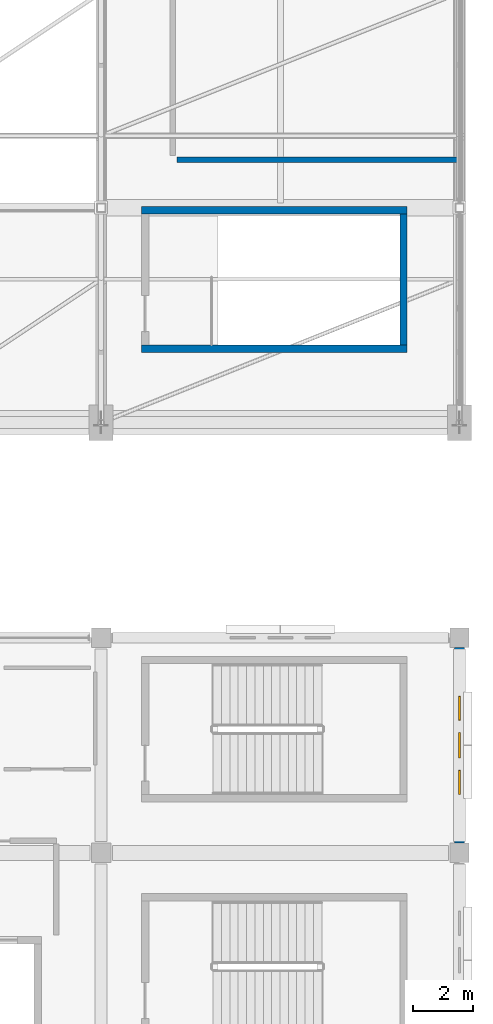
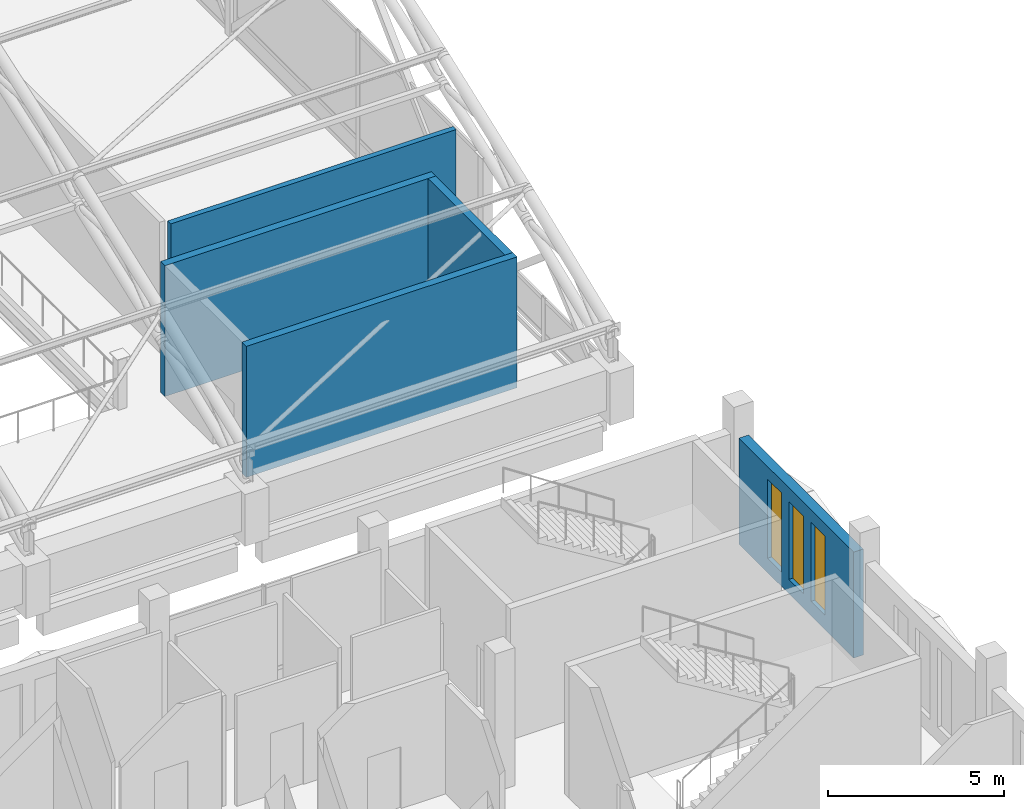
# One storey, part 93 of 116: 5 walls, 3 windows, 3 openings.
"""IFC4 building model written with IfcOpenShell, lengths in metres."""

from ifc_helpers import new_model, si_unit, direction, frame, frame_2d, origin, place, context, subcontext, project, spatial, rectangle, extrude, material, layer, layer_set, type_object, element, fill, save


model = new_model("IFC4")

# Units and contexts
model_context = context("Model", 3, precision=1e-05, world=origin(), true_north=direction((0.0, 1.0)))
body_context = subcontext(model_context, "Body", "Model", "MODEL_VIEW")
ifc_project = project(units=[si_unit("LENGTHUNIT", "METRE"), si_unit("AREAUNIT", "SQUARE_METRE"), si_unit("VOLUMEUNIT", "CUBIC_METRE"), si_unit("PLANEANGLEUNIT", "RADIAN"), si_unit("MASSUNIT", "GRAM", prefix="KILO")], contexts=[model_context])

# Site, building, storey
site_placement = place(None, origin())
site = spatial("IfcSite", under=ifc_project, at=site_placement, CompositionType="ELEMENT")
building_placement = place(site_placement, origin())
building = spatial("IfcBuilding", under=site, at=building_placement, Name="Cendralis Lancet Convention Centre", CompositionType="ELEMENT")
storey_placement = place(building_placement, frame((0.0, 0.0, 15.0)))
storey = spatial("IfcBuildingStorey", under=building, at=storey_placement, Name="L03", CompositionType="ELEMENT", Elevation=15.0)

# Wall, openings, windows
ifc_material_1 = material(Name="Buff sandstone ashlar and Concrete G40 (C40/50)", Category="masonry")
ifc_layer_1 = layer(ifc_material_1, 0.320068359375, Name="Buff sandstone ashlar and Concrete G40 (C40/50)")
ifc_layer_set_1 = layer_set([ifc_layer_1], Name="Buff sandstone ashlar and Concrete G40 (C40/50)")
wall_type_1 = type_object("IfcWallType", Name="ARC-EW-W320", PredefinedType="STANDARD", material=ifc_layer_set_1)
wall_1_placement = place(storey_placement, frame((208.800048828125, 35.6669921875, 0.0), z_axis=(0.0, 0.0, 1.0), x_axis=(0.0, -1.0, 0.0)))
wall_1 = element("IfcWall", 1, at=wall_1_placement, inside=storey, type_object=wall_type_1, Name="L03 V5 Exterior Wall EW-06 #0313", PredefinedType="STANDARD", context=body_context, shape_type="SweptSolid", body=[
    extrude(rectangle(XDim=6.533935546875, YDim=0.320068359375, at=frame_2d((3.26708984375, 0.0))), origin(), (0.0, 0.0, 1.0), 3.68505859375),
])
opening_1_placement = place(wall_1_placement, frame((1.626953125, 0.0, 0.5)))
opening_1 = element("IfcOpeningElement", 2, at=opening_1_placement, cuts=wall_1, Name="Opening WN-07", PredefinedType="OPENING", context=body_context, shape_type="SweptSolid", body=[
    extrude(rectangle(XDim=0.800048828125, YDim=2.75, at=frame_2d((0.39990234375, 1.375))), frame((0.0, 0.169921875, 0.0), z_axis=(0.0, -1.0, 0.0), x_axis=(1.0, 0.0, 0.0)), (0.0, 0.0, 1.0), 0.340087890625),
])
opening_2_placement = place(wall_1_placement, frame((2.846923828125, 0.0, 0.5)))
opening_2 = element("IfcOpeningElement", 3, at=opening_2_placement, cuts=wall_1, Name="Opening WN-15", PredefinedType="OPENING", context=body_context, shape_type="SweptSolid", body=[
    extrude(rectangle(XDim=0.840087890625, YDim=2.699951171875, at=frame_2d((0.419921875, 1.35009765625))), frame((0.0, 0.169921875, 0.0), z_axis=(0.0, -1.0, 0.0), x_axis=(1.0, 0.0, 0.0)), (0.0, 0.0, 1.0), 0.340087890625),
])
opening_3_placement = place(wall_1_placement, frame((4.10693359375, 0.0, 0.5)))
opening_3 = element("IfcOpeningElement", 4, at=opening_3_placement, cuts=wall_1, Name="Opening WN-07", PredefinedType="OPENING", context=body_context, shape_type="SweptSolid", body=[
    extrude(rectangle(XDim=0.800048828125, YDim=2.75, at=frame_2d((0.39990234375, 1.375))), frame((0.0, 0.169921875, 0.0), z_axis=(0.0, -1.0, 0.0), x_axis=(1.0, 0.0, 0.0)), (0.0, 0.0, 1.0), 0.340087890625),
])
ifc_material_2 = material(Name="Double-glazed low-E solar-control glass", Category="glass")
window_type_1 = type_object("IfcWindowType", Name="ARC-WN-LW07", PartitioningType="SINGLE_PANEL", PredefinedType="WINDOW", material=ifc_material_2)
window_1_placement = place(opening_1_placement, origin())
window_1 = element("IfcWindow", 5, at=window_1_placement, inside=storey, type_object=window_type_1, Name="Gothic Lancet Window WN-07 #0619", OverallHeight=2.75, OverallWidth=0.800048828125, PartitioningType="SINGLE_PANEL", PredefinedType="WINDOW", context=body_context, shape_type="SweptSolid", body=[
    extrude(rectangle(XDim=0.800048828125, YDim=2.75, at=frame_2d((0.39990234375, 1.375))), frame((0.0, 0.030029296875, 0.0), z_axis=(0.0, -1.0, 0.0), x_axis=(1.0, 0.0, 0.0)), (0.0, 0.0, 1.0), 0.06005859375),
])
fill(opening_1, window_1)
window_2_placement = place(opening_3_placement, origin())
window_2 = element("IfcWindow", 6, at=window_2_placement, inside=storey, type_object=window_type_1, Name="Gothic Lancet Window WN-07 #0621", OverallHeight=2.75, OverallWidth=0.800048828125, PartitioningType="SINGLE_PANEL", PredefinedType="WINDOW", context=body_context, shape_type="SweptSolid", body=[
    extrude(rectangle(XDim=0.800048828125, YDim=2.75, at=frame_2d((0.39990234375, 1.375))), frame((0.0, 0.030029296875, 0.0), z_axis=(0.0, -1.0, 0.0), x_axis=(1.0, 0.0, 0.0)), (0.0, 0.0, 1.0), 0.06005859375),
])
fill(opening_3, window_2)
window_type_2 = type_object("IfcWindowType", Name="ARC-WN-LW15", PartitioningType="SINGLE_PANEL", PredefinedType="WINDOW", material=ifc_material_2)
window_3_placement = place(opening_2_placement, origin())
window_3 = element("IfcWindow", 7, at=window_3_placement, inside=storey, type_object=window_type_2, Name="Gothic Lancet Window WN-15 #0620", OverallHeight=2.699951171875, OverallWidth=0.840087890625, PartitioningType="SINGLE_PANEL", PredefinedType="WINDOW", context=body_context, shape_type="SweptSolid", body=[
    extrude(rectangle(XDim=0.840087890625, YDim=2.699951171875, at=frame_2d((0.419921875, 1.35009765625))), frame((0.0, 0.030029296875, 0.0), z_axis=(0.0, -1.0, 0.0), x_axis=(1.0, 0.0, 0.0)), (0.0, 0.0, 1.0), 0.06005859375),
])
fill(opening_2, window_3)

# Walls
ifc_material_3 = material(Name="Acoustic fire-rated gypsum board on steel studs", Category="steel")
ifc_layer_2 = layer(ifc_material_3, 0.179931640625, Name="Acoustic fire-rated gypsum board on steel studs")
ifc_layer_set_2 = layer_set([ifc_layer_2], Name="Acoustic fire-rated gypsum board on steel studs")
wall_type_2 = type_object("IfcWallType", Name="ARC-IW-P180", PredefinedType="PARTITIONING", material=ifc_layer_set_2)
wall_2_placement = place(storey_placement, frame((199.340087890625, 52.0, 0.0), z_axis=(0.0, 0.0, 1.0), x_axis=(1.0, 0.0, 0.0)))
element("IfcWall", 8, at=wall_2_placement, inside=storey, type_object=wall_type_2, Name="L03 Interior Partition IW-02 #0121", PredefinedType="PARTITIONING", context=body_context, shape_type="SweptSolid", body=[
    extrude(rectangle(XDim=9.3798828125, YDim=0.179931640625, at=frame_2d((4.68994140625, 0.0))), origin(), (0.0, 0.0, 1.0), 4.534912109375),
])
ifc_material_4 = material(Name="Concrete G40 (C40/50)", Category="concrete")
ifc_layer_3 = layer(ifc_material_4, 0.25, Name="Concrete G40 (C40/50)")
ifc_layer_set_3 = layer_set([ifc_layer_3], Name="Concrete G40 (C40/50)")
wall_type_3 = type_object("IfcWallType", Name="STR-SW-CW250", PredefinedType="SHEAR", material=ifc_layer_set_3)
wall_3_placement = place(storey_placement, frame((206.925048828125, 45.800048828125, 0.0), z_axis=(0.0, 0.0, 1.0), x_axis=(0.0, 1.0, 0.0)))
element("IfcWall", 9, at=wall_3_placement, inside=storey, type_object=wall_type_3, Name="L03 Stair Core ST-09 East Shear Wall", PredefinedType="SHEAR", context=body_context, shape_type="SweptSolid", body=[
    extrude(rectangle(XDim=4.3798828125, YDim=0.25, at=frame_2d((2.18994140625, 0.0))), origin(), (0.0, 0.0, 1.0), 4.550048828125),
])
for number, where, z_axis, x_axis, name in (
    (10, (198.14990234375, 45.675048828125, 0.0), (0.0, 0.0, 1.0), (1.0, 0.0, 0.0), "L03 Stair Core ST-09 South Shear Wall"),
    (11, (198.14990234375, 50.304931640625, 0.0), (0.0, 0.0, 1.0), (1.0, 0.0, 0.0), "L03 Stair Core ST-09 North Shear Wall"),
):
    element("IfcWall", number, at=place(storey_placement, frame(where, z_axis=z_axis, x_axis=x_axis)), inside=storey, type_object=wall_type_3, Name=name, PredefinedType="SHEAR", context=body_context, shape_type="SweptSolid", body=[
        extrude(rectangle(XDim=8.900146484375, YDim=0.25, at=frame_2d((4.4501953125, 0.0))), origin(), (0.0, 0.0, 1.0), 4.550048828125),
    ])

save(model, "model.ifc")
